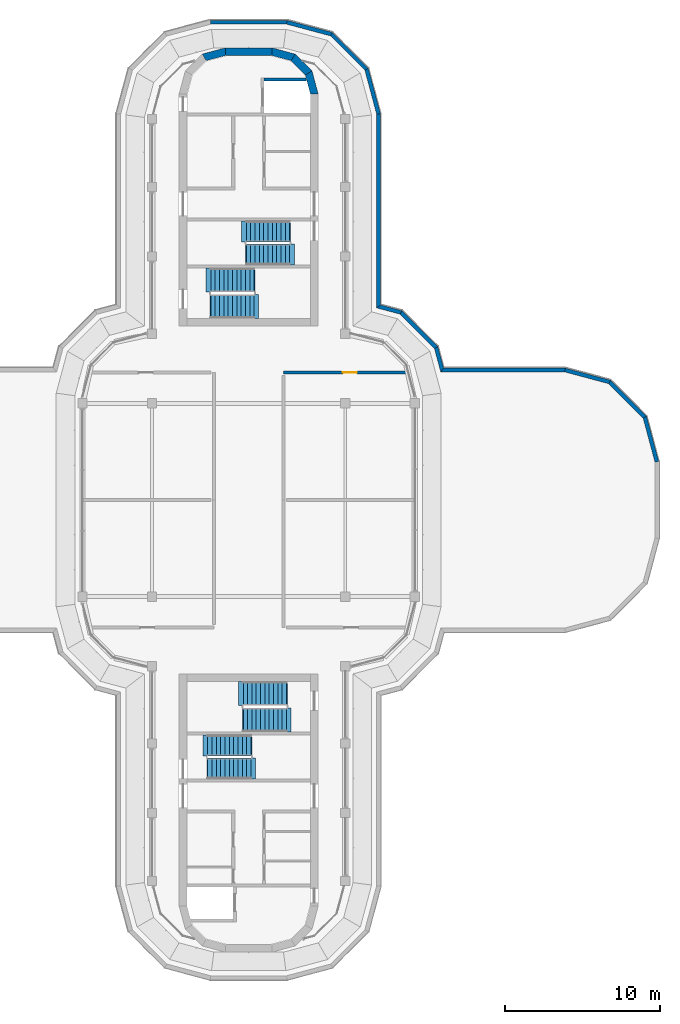
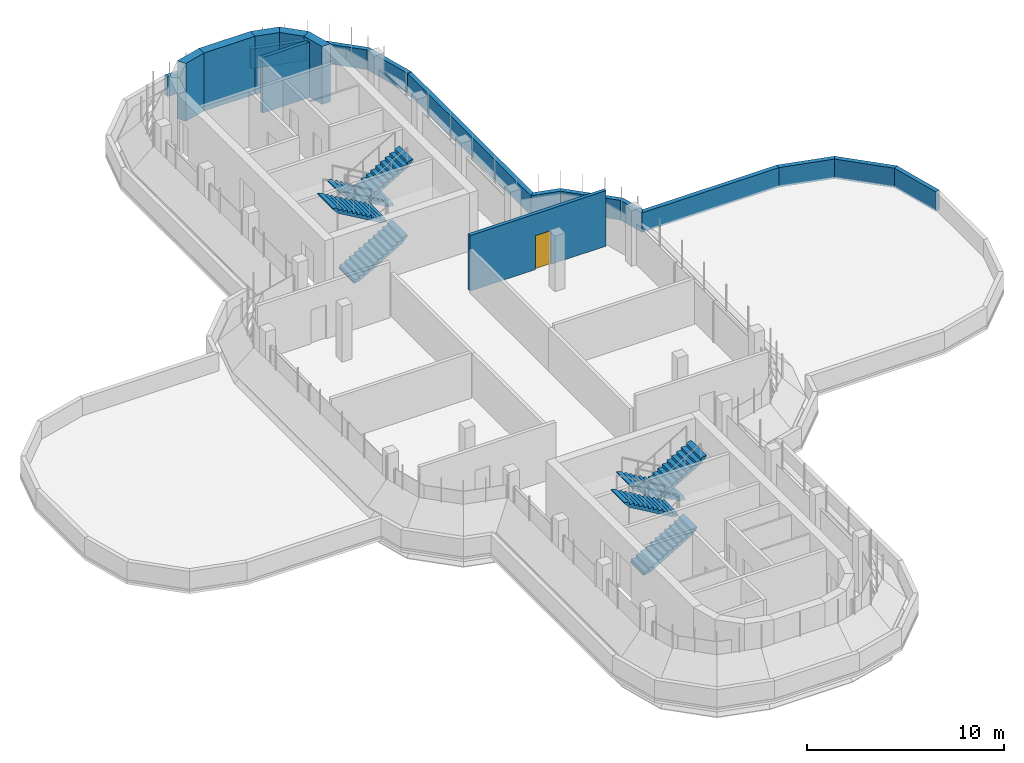
# One storey, part 10 of 13: 19 walls, 8 stair flights, 1 door, 1 opening, 4 elements without a shape of their own.
"""IFC4 building model written with IfcOpenShell, lengths in metres."""

from ifc_helpers import new_model, si_unit, direction, frame, frame_2d, origin, place, context, subcontext, project, spatial, polyline, rectangle, outline, extrude, material, layer, layer_set, type_object, element, fill, aggregate, save


model = new_model("IFC4")

# Units and contexts
model_context = context("Model", 3, precision=1e-05, world=origin(), true_north=direction((0.0, 1.0)))
body_context = subcontext(model_context, "Body", "Model", "MODEL_VIEW")
ifc_project = project(units=[si_unit("LENGTHUNIT", "METRE"), si_unit("AREAUNIT", "SQUARE_METRE"), si_unit("VOLUMEUNIT", "CUBIC_METRE"), si_unit("PLANEANGLEUNIT", "RADIAN"), si_unit("MASSUNIT", "GRAM", prefix="KILO")], contexts=[model_context])

# Site, building, storey
site_placement = place(None, origin())
site = spatial("IfcSite", under=ifc_project, at=site_placement, CompositionType="ELEMENT")
building_placement = place(site_placement, origin())
building = spatial("IfcBuilding", under=site, at=building_placement, Name="Zarbagh Exchange Tower", CompositionType="ELEMENT")
storey_placement = place(building_placement, frame((0.0, 0.0, 298.800048828125)))
storey = spatial("IfcBuildingStorey", under=building, at=storey_placement, Name="L73", CompositionType="ELEMENT", Elevation=298.800048828125)

# Wall, opening, door
ifc_material_1 = material(Name="Concrete block partition", Category="concrete")
ifc_layer_1 = layer(ifc_material_1, 0.199951171875)
ifc_layer_set_1 = layer_set([ifc_layer_1], Name="Fire-rated block partition 200 EI 60")
wall_type_1 = type_object("IfcWallType", Name="Fire-rated block partition 200 EI 60", PredefinedType="PARTITIONING", material=ifc_layer_set_1)
wall_1_placement = place(storey_placement, frame((10.238037109375, 8.25, 0.0), z_axis=(0.0, 0.0, 1.0), x_axis=(-1.0, 0.0, 0.0)))
wall_1 = element("IfcWall", 1, at=wall_1_placement, inside=storey, type_object=wall_type_1, Name="WL-L73-W001", PredefinedType="PARTITIONING", context=body_context, shape_type="SweptSolid", body=[
    extrude(rectangle(XDim=7.988037109375, YDim=0.199951171875, at=frame_2d((3.994140625, 0.0))), origin(), (0.0, 0.0, 1.0), 3.449951171875),
])
opening_placement = place(wall_1_placement, frame((3.239013671875, 0.0, 0.0)))
opening = element("IfcOpeningElement", 2, at=opening_placement, cuts=wall_1, Name="Opening D01", PredefinedType="OPENING", context=body_context, shape_type="SweptSolid", body=[
    extrude(rectangle(XDim=0.89990234375, YDim=2.10009765625, at=frame_2d((0.449951171875, 1.050048828125))), frame((0.0, 0.10986328125, 0.0), z_axis=(0.0, -1.0, 0.0), x_axis=(1.0, 0.0, 0.0)), (0.0, 0.0, 1.0), 0.219970703125),
])
ifc_material_2 = material(Name="Steel door set", Category="steel")
door_type = type_object("IfcDoorType", Name="Door single 900x2100 EI 60", OperationType="SINGLE_SWING_LEFT", PredefinedType="DOOR", material=ifc_material_2)
door_placement = place(opening_placement, origin())
door = element("IfcDoor", 3, at=door_placement, inside=storey, type_object=door_type, Name="D01", OperationType="SINGLE_SWING_LEFT", OverallHeight=2.10009765625, OverallWidth=0.89990234375, PredefinedType="DOOR", context=body_context, shape_type="SweptSolid", body=[
    extrude(rectangle(XDim=0.89990234375, YDim=2.10009765625, at=frame_2d((0.449951171875, 1.050048828125))), frame((0.0, 0.02490234375, 0.0), z_axis=(0.0, -1.0, 0.0), x_axis=(1.0, 0.0, 0.0)), (0.0, 0.0, 1.0), 0.050048828125),
])
fill(opening, door)

# Walls
ifc_material_3 = material(Name="Concrete C40/50", Category="concrete")
ifc_layer_2 = layer(ifc_material_3, 0.25)
ifc_layer_set_2 = layer_set([ifc_layer_2], Name="Parapet wall, concrete C40/50")
wall_type_2 = type_object("IfcWallType", Name="Parapet wall, concrete C40/50", PredefinedType="PARAPET", material=ifc_layer_set_2)
wall_2_placement = place(storey_placement, origin())
element("IfcWall", 4, at=wall_2_placement, inside=storey, type_object=wall_type_2, Name="roof parapet", PredefinedType="PARAPET", context=body_context, shape_type="SweptSolid", body=[
    extrude(outline(polyline([(-2.484375, 31.030029296875), (2.484375, 31.030029296875), (2.451416015625, 30.780029296875), (-2.451416015625, 30.780029296875), (-2.484375, 31.030029296875)])), origin(), (0.0, 0.0, 1.0), 1.219970703125),
])
wall_3_placement = place(storey_placement, origin())
element("IfcWall", 5, at=wall_3_placement, inside=storey, type_object=wall_type_2, Name="roof parapet", PredefinedType="PARAPET", context=body_context, shape_type="SweptSolid", body=[
    extrude(outline(polyline([(2.484375, 31.030029296875), (5.42138671875, 30.242919921875), (5.2919921875, 30.018798828125), (2.451416015625, 30.780029296875), (2.484375, 31.030029296875)])), origin(), (0.0, 0.0, 1.0), 1.219970703125),
])
wall_4_placement = place(storey_placement, origin())
element("IfcWall", 6, at=wall_4_placement, inside=storey, type_object=wall_type_2, Name="roof parapet", PredefinedType="PARAPET", context=body_context, shape_type="SweptSolid", body=[
    extrude(outline(polyline([(5.42138671875, 30.242919921875), (7.742919921875, 27.92138671875), (7.518798828125, 27.7919921875), (5.2919921875, 30.018798828125), (5.42138671875, 30.242919921875)])), origin(), (0.0, 0.0, 1.0), 1.219970703125),
])
wall_5_placement = place(storey_placement, origin())
element("IfcWall", 7, at=wall_5_placement, inside=storey, type_object=wall_type_2, Name="roof parapet", PredefinedType="PARAPET", context=body_context, shape_type="SweptSolid", body=[
    extrude(outline(polyline([(7.742919921875, 27.92138671875), (8.530029296875, 24.984375), (8.280029296875, 24.951416015625), (7.518798828125, 27.7919921875), (7.742919921875, 27.92138671875)])), origin(), (0.0, 0.0, 1.0), 1.219970703125),
])
wall_6_placement = place(storey_placement, origin())
element("IfcWall", 8, at=wall_6_placement, inside=storey, type_object=wall_type_2, Name="roof parapet", PredefinedType="PARAPET", context=body_context, shape_type="SweptSolid", body=[
    extrude(outline(polyline([(8.530029296875, 24.984375), (8.530029296875, 12.61572265625), (8.280029296875, 12.424072265625), (8.280029296875, 24.951416015625), (8.530029296875, 24.984375)])), origin(), (0.0, 0.0, 1.0), 1.219970703125),
])
wall_7_placement = place(storey_placement, origin())
element("IfcWall", 9, at=wall_7_placement, inside=storey, type_object=wall_type_2, Name="roof parapet", PredefinedType="PARAPET", context=body_context, shape_type="SweptSolid", body=[
    extrude(outline(polyline([(8.530029296875, 12.61572265625), (9.92138671875, 12.242919921875), (9.7919921875, 12.018798828125), (8.280029296875, 12.424072265625), (8.530029296875, 12.61572265625)])), origin(), (0.0, 0.0, 1.0), 1.219970703125),
])
wall_8_placement = place(storey_placement, origin())
element("IfcWall", 10, at=wall_8_placement, inside=storey, type_object=wall_type_2, Name="roof parapet", PredefinedType="PARAPET", context=body_context, shape_type="SweptSolid", body=[
    extrude(outline(polyline([(9.92138671875, 12.242919921875), (12.242919921875, 9.92138671875), (12.018798828125, 9.7919921875), (9.7919921875, 12.018798828125), (9.92138671875, 12.242919921875)])), origin(), (0.0, 0.0, 1.0), 1.219970703125),
])
wall_9_placement = place(storey_placement, origin())
element("IfcWall", 11, at=wall_9_placement, inside=storey, type_object=wall_type_2, Name="roof parapet", PredefinedType="PARAPET", context=body_context, shape_type="SweptSolid", body=[
    extrude(outline(polyline([(12.242919921875, 9.92138671875), (12.61572265625, 8.530029296875), (12.424072265625, 8.280029296875), (12.018798828125, 9.7919921875), (12.242919921875, 9.92138671875)])), origin(), (0.0, 0.0, 1.0), 1.219970703125),
])
wall_10_placement = place(storey_placement, origin())
element("IfcWall", 12, at=wall_10_placement, inside=storey, type_object=wall_type_2, Name="roof parapet", PredefinedType="PARAPET", context=body_context, shape_type="SweptSolid", body=[
    extrude(outline(polyline([(12.61572265625, 8.530029296875), (20.484375, 8.530029296875), (20.451416015625, 8.280029296875), (12.424072265625, 8.280029296875), (12.61572265625, 8.530029296875)])), origin(), (0.0, 0.0, 1.0), 1.219970703125),
])
wall_11_placement = place(storey_placement, origin())
element("IfcWall", 13, at=wall_11_placement, inside=storey, type_object=wall_type_2, Name="roof parapet", PredefinedType="PARAPET", context=body_context, shape_type="SweptSolid", body=[
    extrude(outline(polyline([(20.484375, 8.530029296875), (23.42138671875, 7.742919921875), (23.2919921875, 7.518798828125), (20.451416015625, 8.280029296875), (20.484375, 8.530029296875)])), origin(), (0.0, 0.0, 1.0), 1.219970703125),
])
wall_12_placement = place(storey_placement, origin())
element("IfcWall", 14, at=wall_12_placement, inside=storey, type_object=wall_type_2, Name="roof parapet", PredefinedType="PARAPET", context=body_context, shape_type="SweptSolid", body=[
    extrude(outline(polyline([(23.42138671875, 7.742919921875), (25.742919921875, 5.42138671875), (25.518798828125, 5.2919921875), (23.2919921875, 7.518798828125), (23.42138671875, 7.742919921875)])), origin(), (0.0, 0.0, 1.0), 1.219970703125),
])
wall_13_placement = place(storey_placement, origin())
element("IfcWall", 15, at=wall_13_placement, inside=storey, type_object=wall_type_2, Name="roof parapet", PredefinedType="PARAPET", context=body_context, shape_type="SweptSolid", body=[
    extrude(outline(polyline([(25.742919921875, 5.42138671875), (26.530029296875, 2.484375), (26.280029296875, 2.451416015625), (25.518798828125, 5.2919921875), (25.742919921875, 5.42138671875)])), origin(), (0.0, 0.0, 1.0), 1.219970703125),
])
ifc_layer_3 = layer(ifc_material_3, 0.5)
ifc_layer_set_3 = layer_set([ifc_layer_3], Name="RC core corner wall 500 C40/50")
wall_type_3 = type_object("IfcWallType", Name="RC core corner wall 500 C40/50", PredefinedType="SHEAR", material=ifc_layer_set_3)
wall_14_placement = place(storey_placement, origin())
element("IfcWall", 16, at=wall_14_placement, inside=storey, type_object=wall_type_3, Name="CW10 core N corner W", PredefinedType="SHEAR", context=body_context, shape_type="SweptSolid", body=[
    extrude(outline(polyline([(-3.0, 28.84814453125), (-1.5, 29.25), (-1.5, 28.75), (-2.75, 28.4150390625), (-3.0, 28.84814453125)])), origin(), (0.0, 0.0, 1.0), 3.599853515625),
])
wall_15_placement = place(storey_placement, origin())
element("IfcWall", 17, at=wall_15_placement, inside=storey, type_object=wall_type_3, Name="CW10 core N corner E", PredefinedType="SHEAR", context=body_context, shape_type="SweptSolid", body=[
    extrude(outline(polyline([(4.5, 26.25), (4.09814453125, 27.75), (3.6650390625, 27.5), (4.0, 26.25), (4.5, 26.25)])), origin(), (0.0, 0.0, 1.0), 3.599853515625),
])
wall_16_placement = place(storey_placement, origin())
element("IfcWall", 18, at=wall_16_placement, inside=storey, type_object=wall_type_3, Name="CW10 core N corner E", PredefinedType="SHEAR", context=body_context, shape_type="SweptSolid", body=[
    extrude(outline(polyline([(4.09814453125, 27.75), (3.0, 28.84814453125), (2.75, 28.4150390625), (3.6650390625, 27.5), (4.09814453125, 27.75)])), origin(), (0.0, 0.0, 1.0), 3.599853515625),
])
wall_17_placement = place(storey_placement, origin())
element("IfcWall", 19, at=wall_17_placement, inside=storey, type_object=wall_type_3, Name="CW10 core N corner E", PredefinedType="SHEAR", context=body_context, shape_type="SweptSolid", body=[
    extrude(outline(polyline([(3.0, 28.84814453125), (1.5, 29.25), (1.5, 28.75), (2.75, 28.4150390625), (3.0, 28.84814453125)])), origin(), (0.0, 0.0, 1.0), 3.599853515625),
])
ifc_layer_4 = layer(ifc_material_3, 0.5)
ifc_layer_set_4 = layer_set([ifc_layer_4], Name="RC core wall 500 C40/50")
wall_type_4 = type_object("IfcWallType", Name="RC core wall 500 C40/50", PredefinedType="SHEAR", material=ifc_layer_set_4)
wall_18_placement = place(storey_placement, frame((-1.5, 29.0, 0.0), z_axis=(0.0, 0.0, 1.0), x_axis=(1.0, 0.0, 0.0)))
element("IfcWall", 20, at=wall_18_placement, inside=storey, type_object=wall_type_4, Name="CW9 core N outer end", PredefinedType="SHEAR", context=body_context, shape_type="SweptSolid", body=[
    extrude(rectangle(XDim=3.0, YDim=0.5, at=frame_2d((1.5, 0.0))), origin(), (0.0, 0.0, 1.0), 3.599853515625),
])
ifc_layer_5 = layer(ifc_material_3, 0.199951171875)
ifc_layer_set_5 = layer_set([ifc_layer_5], Name="Stair enclosure wall 200 mm RC C40/50")
wall_type_5 = type_object("IfcWallType", Name="Stair enclosure wall 200 mm RC C40/50", PredefinedType="SHEAR", material=ifc_layer_set_5)
wall_19_placement = place(storey_placement, origin())
element("IfcWall", 21, at=wall_19_placement, inside=storey, type_object=wall_type_5, Name="North core lift shaft wall FFX", PredefinedType="SHEAR", context=body_context, shape_type="SweptSolid", body=[
    extrude(outline(polyline([(1.0, 27.10009765625), (3.754638671875, 27.10009765625), (3.700927734375, 27.300048828125), (1.0, 27.300048828125), (1.0, 27.10009765625)])), origin(), (0.0, 0.0, 1.0), 3.449951171875),
])

# Stair, stair flights
stair_type = type_object("IfcStairType", Name="Exit stair two-flight half-turn", PredefinedType="HALF_TURN_STAIR", material=ifc_material_3)
stair_1_placement = place(storey_placement, origin())
stair_1 = element("IfcStair", 22, at=stair_1_placement, inside=storey, type_object=stair_type, Name="exit stair ST1", PredefinedType="HALF_TURN_STAIR")
stair_flight_type_1 = type_object("IfcStairFlightType", Name="Stair flight 1350 mm", PredefinedType="STRAIGHT", material=ifc_material_3)
stair_flight_1_placement = place(storey_placement, frame((2.64990234375, 17.375, 0.0), z_axis=(0.0, 0.0, 1.0), x_axis=(-1.0, 0.0, 0.0)))
stair_flight_1 = element("IfcStairFlight", 23, at=stair_flight_1_placement, type_object=stair_flight_type_1, Name="ST1 flight 1", NumberOfRisers=11, NumberOfTreads=10, PredefinedType="STRAIGHT", RiserHeight=0.163636364, TreadLength=0.28, context=body_context, shape_type="SweptSolid", body=[
    extrude(outline(polyline([(-0.050048828125, -0.050048828125), (-0.050048828125, 0.0), (0.0, 0.0), (0.0, 0.16357421875), (0.280029296875, 0.16357421875), (0.280029296875, 0.327392578125), (0.56005859375, 0.327392578125), (0.56005859375, 0.490966796875), (0.840087890625, 0.490966796875), (0.840087890625, 0.654541015625), (1.1201171875, 0.654541015625), (1.1201171875, 0.818115234375), (1.39990234375, 0.818115234375), (1.39990234375, 0.98193359375), (1.679931640625, 0.98193359375), (1.679931640625, 1.1455078125), (1.9599609375, 1.1455078125), (1.9599609375, 1.30908203125), (2.239990234375, 1.30908203125), (2.239990234375, 1.47265625), (2.52001953125, 1.47265625), (2.52001953125, 1.636474609375), (2.800048828125, 1.636474609375), (2.800048828125, 1.800048828125), (3.10009765625, 1.8798828125), (3.10009765625, 1.800048828125), (2.800048828125, 1.462646484375), (0.297119140625, 0.0), (-0.050048828125, -0.050048828125)])), frame((0.0, 0.675048828125, 0.0), z_axis=(0.0, -1.0, 0.0), x_axis=(1.0, 0.0, 0.0)), (0.0, 0.0, 1.0), 1.35009765625),
])
stair_flight_2_placement = place(storey_placement, frame((-0.14990234375, 15.875, 1.800048828125), z_axis=(0.0, 0.0, 1.0), x_axis=(1.0, 0.0, 0.0)))
stair_flight_2 = element("IfcStairFlight", 24, at=stair_flight_2_placement, type_object=stair_flight_type_1, Name="ST1 flight 2", NumberOfRisers=11, NumberOfTreads=10, PredefinedType="STRAIGHT", RiserHeight=0.163636364, TreadLength=0.28, context=body_context, shape_type="SweptSolid", body=[
    extrude(outline(polyline([(-0.050048828125, -0.050048828125), (-0.050048828125, 0.0), (0.0, 0.0), (0.0, 0.16357421875), (0.280029296875, 0.16357421875), (0.280029296875, 0.327392578125), (0.56005859375, 0.327392578125), (0.56005859375, 0.490966796875), (0.840087890625, 0.490966796875), (0.840087890625, 0.654541015625), (1.1201171875, 0.654541015625), (1.1201171875, 0.818115234375), (1.39990234375, 0.818115234375), (1.39990234375, 0.98193359375), (1.679931640625, 0.98193359375), (1.679931640625, 1.1455078125), (1.9599609375, 1.1455078125), (1.9599609375, 1.30908203125), (2.239990234375, 1.30908203125), (2.239990234375, 1.47265625), (2.52001953125, 1.47265625), (2.52001953125, 1.636474609375), (2.800048828125, 1.636474609375), (2.800048828125, 1.800048828125), (3.10009765625, 1.8798828125), (3.10009765625, 1.800048828125), (2.800048828125, 1.462646484375), (0.297119140625, 0.0), (-0.050048828125, -0.050048828125)])), frame((0.0, 0.675048828125, 0.0), z_axis=(0.0, -1.0, 0.0), x_axis=(1.0, 0.0, 0.0)), (0.0, 0.0, 1.0), 1.35009765625),
])
aggregate(stair_1, [stair_flight_1, stair_flight_2])

stair_2_placement = place(storey_placement, origin())
stair_2 = element("IfcStair", 25, at=stair_2_placement, inside=storey, type_object=stair_type, Name="exit stair ST3", PredefinedType="HALF_TURN_STAIR")
stair_flight_3_placement = place(storey_placement, frame((-2.64990234375, -17.375, 0.0), z_axis=(0.0, 0.0, 1.0), x_axis=(1.0, 0.0, 0.0)))
stair_flight_3 = element("IfcStairFlight", 26, at=stair_flight_3_placement, type_object=stair_flight_type_1, Name="ST3 flight 1", NumberOfRisers=11, NumberOfTreads=10, PredefinedType="STRAIGHT", RiserHeight=0.163636364, TreadLength=0.28, context=body_context, shape_type="SweptSolid", body=[
    extrude(outline(polyline([(-0.050048828125, -0.050048828125), (-0.050048828125, 0.0), (0.0, 0.0), (0.0, 0.16357421875), (0.280029296875, 0.16357421875), (0.280029296875, 0.327392578125), (0.56005859375, 0.327392578125), (0.56005859375, 0.490966796875), (0.840087890625, 0.490966796875), (0.840087890625, 0.654541015625), (1.1201171875, 0.654541015625), (1.1201171875, 0.818115234375), (1.39990234375, 0.818115234375), (1.39990234375, 0.98193359375), (1.679931640625, 0.98193359375), (1.679931640625, 1.1455078125), (1.9599609375, 1.1455078125), (1.9599609375, 1.30908203125), (2.239990234375, 1.30908203125), (2.239990234375, 1.47265625), (2.52001953125, 1.47265625), (2.52001953125, 1.636474609375), (2.800048828125, 1.636474609375), (2.800048828125, 1.800048828125), (3.10009765625, 1.8798828125), (3.10009765625, 1.800048828125), (2.800048828125, 1.462646484375), (0.297119140625, 0.0), (-0.050048828125, -0.050048828125)])), frame((0.0, 0.675048828125, 0.0), z_axis=(0.0, -1.0, 0.0), x_axis=(1.0, 0.0, 0.0)), (0.0, 0.0, 1.0), 1.35009765625),
])
stair_flight_4_placement = place(storey_placement, frame((0.14990234375, -15.875, 1.800048828125), z_axis=(0.0, 0.0, 1.0), x_axis=(-1.0, 0.0, 0.0)))
stair_flight_4 = element("IfcStairFlight", 27, at=stair_flight_4_placement, type_object=stair_flight_type_1, Name="ST3 flight 2", NumberOfRisers=11, NumberOfTreads=10, PredefinedType="STRAIGHT", RiserHeight=0.163636364, TreadLength=0.28, context=body_context, shape_type="SweptSolid", body=[
    extrude(outline(polyline([(-0.050048828125, -0.050048828125), (-0.050048828125, 0.0), (0.0, 0.0), (0.0, 0.16357421875), (0.280029296875, 0.16357421875), (0.280029296875, 0.327392578125), (0.56005859375, 0.327392578125), (0.56005859375, 0.490966796875), (0.840087890625, 0.490966796875), (0.840087890625, 0.654541015625), (1.1201171875, 0.654541015625), (1.1201171875, 0.818115234375), (1.39990234375, 0.818115234375), (1.39990234375, 0.98193359375), (1.679931640625, 0.98193359375), (1.679931640625, 1.1455078125), (1.9599609375, 1.1455078125), (1.9599609375, 1.30908203125), (2.239990234375, 1.30908203125), (2.239990234375, 1.47265625), (2.52001953125, 1.47265625), (2.52001953125, 1.636474609375), (2.800048828125, 1.636474609375), (2.800048828125, 1.800048828125), (3.10009765625, 1.8798828125), (3.10009765625, 1.800048828125), (2.800048828125, 1.462646484375), (0.297119140625, 0.0), (-0.050048828125, -0.050048828125)])), frame((0.0, 0.675048828125, 0.0), z_axis=(0.0, -1.0, 0.0), x_axis=(1.0, 0.0, 0.0)), (0.0, 0.0, 1.0), 1.35009765625),
])
aggregate(stair_2, [stair_flight_3, stair_flight_4])

stair_3_placement = place(storey_placement, origin())
stair_3 = element("IfcStair", 28, at=stair_3_placement, inside=storey, type_object=stair_type, Name="exit stair ST2", PredefinedType="HALF_TURN_STAIR")
stair_flight_type_2 = type_object("IfcStairFlightType", Name="Stair flight 1550 mm", PredefinedType="STRAIGHT", material=ifc_material_3)
stair_flight_5_placement = place(storey_placement, frame((-2.449951171875, 12.52490234375, 0.0), z_axis=(0.0, 0.0, 1.0), x_axis=(1.0, 0.0, 0.0)))
stair_flight_5 = element("IfcStairFlight", 29, at=stair_flight_5_placement, type_object=stair_flight_type_2, Name="ST2 flight 1", NumberOfRisers=11, NumberOfTreads=10, PredefinedType="STRAIGHT", RiserHeight=0.163636364, TreadLength=0.28, context=body_context, shape_type="SweptSolid", body=[
    extrude(outline(polyline([(-0.050048828125, -0.050048828125), (-0.050048828125, 0.0), (0.0, 0.0), (0.0, 0.16357421875), (0.280029296875, 0.16357421875), (0.280029296875, 0.327392578125), (0.56005859375, 0.327392578125), (0.56005859375, 0.490966796875), (0.840087890625, 0.490966796875), (0.840087890625, 0.654541015625), (1.1201171875, 0.654541015625), (1.1201171875, 0.818115234375), (1.39990234375, 0.818115234375), (1.39990234375, 0.98193359375), (1.679931640625, 0.98193359375), (1.679931640625, 1.1455078125), (1.9599609375, 1.1455078125), (1.9599609375, 1.30908203125), (2.239990234375, 1.30908203125), (2.239990234375, 1.47265625), (2.52001953125, 1.47265625), (2.52001953125, 1.636474609375), (2.800048828125, 1.636474609375), (2.800048828125, 1.800048828125), (3.10009765625, 1.8798828125), (3.10009765625, 1.800048828125), (2.800048828125, 1.462646484375), (0.297119140625, 0.0), (-0.050048828125, -0.050048828125)])), frame((0.0, 0.77490234375, 0.0), z_axis=(0.0, -1.0, 0.0), x_axis=(1.0, 0.0, 0.0)), (0.0, 0.0, 1.0), 1.550048828125),
])
stair_flight_6_placement = place(storey_placement, frame((0.35009765625, 14.22509765625, 1.800048828125), z_axis=(0.0, 0.0, 1.0), x_axis=(-1.0, 0.0, 0.0)))
stair_flight_6 = element("IfcStairFlight", 30, at=stair_flight_6_placement, type_object=stair_flight_type_2, Name="ST2 flight 2", NumberOfRisers=11, NumberOfTreads=10, PredefinedType="STRAIGHT", RiserHeight=0.163636364, TreadLength=0.28, context=body_context, shape_type="SweptSolid", body=[
    extrude(outline(polyline([(-0.050048828125, -0.050048828125), (-0.050048828125, 0.0), (0.0, 0.0), (0.0, 0.16357421875), (0.280029296875, 0.16357421875), (0.280029296875, 0.327392578125), (0.56005859375, 0.327392578125), (0.56005859375, 0.490966796875), (0.840087890625, 0.490966796875), (0.840087890625, 0.654541015625), (1.1201171875, 0.654541015625), (1.1201171875, 0.818115234375), (1.39990234375, 0.818115234375), (1.39990234375, 0.98193359375), (1.679931640625, 0.98193359375), (1.679931640625, 1.1455078125), (1.9599609375, 1.1455078125), (1.9599609375, 1.30908203125), (2.239990234375, 1.30908203125), (2.239990234375, 1.47265625), (2.52001953125, 1.47265625), (2.52001953125, 1.636474609375), (2.800048828125, 1.636474609375), (2.800048828125, 1.800048828125), (3.10009765625, 1.8798828125), (3.10009765625, 1.800048828125), (2.800048828125, 1.462646484375), (0.297119140625, 0.0), (-0.050048828125, -0.050048828125)])), frame((0.0, 0.77490234375, 0.0), z_axis=(0.0, -1.0, 0.0), x_axis=(1.0, 0.0, 0.0)), (0.0, 0.0, 1.0), 1.550048828125),
])
aggregate(stair_3, [stair_flight_5, stair_flight_6])

stair_4_placement = place(storey_placement, origin())
stair_4 = element("IfcStair", 31, at=stair_4_placement, inside=storey, type_object=stair_type, Name="exit stair ST4", PredefinedType="HALF_TURN_STAIR")
stair_flight_7_placement = place(storey_placement, frame((2.449951171875, -12.52490234375, 0.0), z_axis=(0.0, 0.0, 1.0), x_axis=(-1.0, 0.0, 0.0)))
stair_flight_7 = element("IfcStairFlight", 32, at=stair_flight_7_placement, type_object=stair_flight_type_2, Name="ST4 flight 1", NumberOfRisers=11, NumberOfTreads=10, PredefinedType="STRAIGHT", RiserHeight=0.163636364, TreadLength=0.28, context=body_context, shape_type="SweptSolid", body=[
    extrude(outline(polyline([(-0.050048828125, -0.050048828125), (-0.050048828125, 0.0), (0.0, 0.0), (0.0, 0.16357421875), (0.280029296875, 0.16357421875), (0.280029296875, 0.327392578125), (0.56005859375, 0.327392578125), (0.56005859375, 0.490966796875), (0.840087890625, 0.490966796875), (0.840087890625, 0.654541015625), (1.1201171875, 0.654541015625), (1.1201171875, 0.818115234375), (1.39990234375, 0.818115234375), (1.39990234375, 0.98193359375), (1.679931640625, 0.98193359375), (1.679931640625, 1.1455078125), (1.9599609375, 1.1455078125), (1.9599609375, 1.30908203125), (2.239990234375, 1.30908203125), (2.239990234375, 1.47265625), (2.52001953125, 1.47265625), (2.52001953125, 1.636474609375), (2.800048828125, 1.636474609375), (2.800048828125, 1.800048828125), (3.10009765625, 1.8798828125), (3.10009765625, 1.800048828125), (2.800048828125, 1.462646484375), (0.297119140625, 0.0), (-0.050048828125, -0.050048828125)])), frame((0.0, 0.77490234375, 0.0), z_axis=(0.0, -1.0, 0.0), x_axis=(1.0, 0.0, 0.0)), (0.0, 0.0, 1.0), 1.550048828125),
])
stair_flight_8_placement = place(storey_placement, frame((-0.35009765625, -14.22509765625, 1.800048828125), z_axis=(0.0, 0.0, 1.0), x_axis=(1.0, 0.0, 0.0)))
stair_flight_8 = element("IfcStairFlight", 33, at=stair_flight_8_placement, type_object=stair_flight_type_2, Name="ST4 flight 2", NumberOfRisers=11, NumberOfTreads=10, PredefinedType="STRAIGHT", RiserHeight=0.163636364, TreadLength=0.28, context=body_context, shape_type="SweptSolid", body=[
    extrude(outline(polyline([(-0.050048828125, -0.050048828125), (-0.050048828125, 0.0), (0.0, 0.0), (0.0, 0.16357421875), (0.280029296875, 0.16357421875), (0.280029296875, 0.327392578125), (0.56005859375, 0.327392578125), (0.56005859375, 0.490966796875), (0.840087890625, 0.490966796875), (0.840087890625, 0.654541015625), (1.1201171875, 0.654541015625), (1.1201171875, 0.818115234375), (1.39990234375, 0.818115234375), (1.39990234375, 0.98193359375), (1.679931640625, 0.98193359375), (1.679931640625, 1.1455078125), (1.9599609375, 1.1455078125), (1.9599609375, 1.30908203125), (2.239990234375, 1.30908203125), (2.239990234375, 1.47265625), (2.52001953125, 1.47265625), (2.52001953125, 1.636474609375), (2.800048828125, 1.636474609375), (2.800048828125, 1.800048828125), (3.10009765625, 1.8798828125), (3.10009765625, 1.800048828125), (2.800048828125, 1.462646484375), (0.297119140625, 0.0), (-0.050048828125, -0.050048828125)])), frame((0.0, 0.77490234375, 0.0), z_axis=(0.0, -1.0, 0.0), x_axis=(1.0, 0.0, 0.0)), (0.0, 0.0, 1.0), 1.550048828125),
])
aggregate(stair_4, [stair_flight_7, stair_flight_8])

save(model, "model.ifc")
